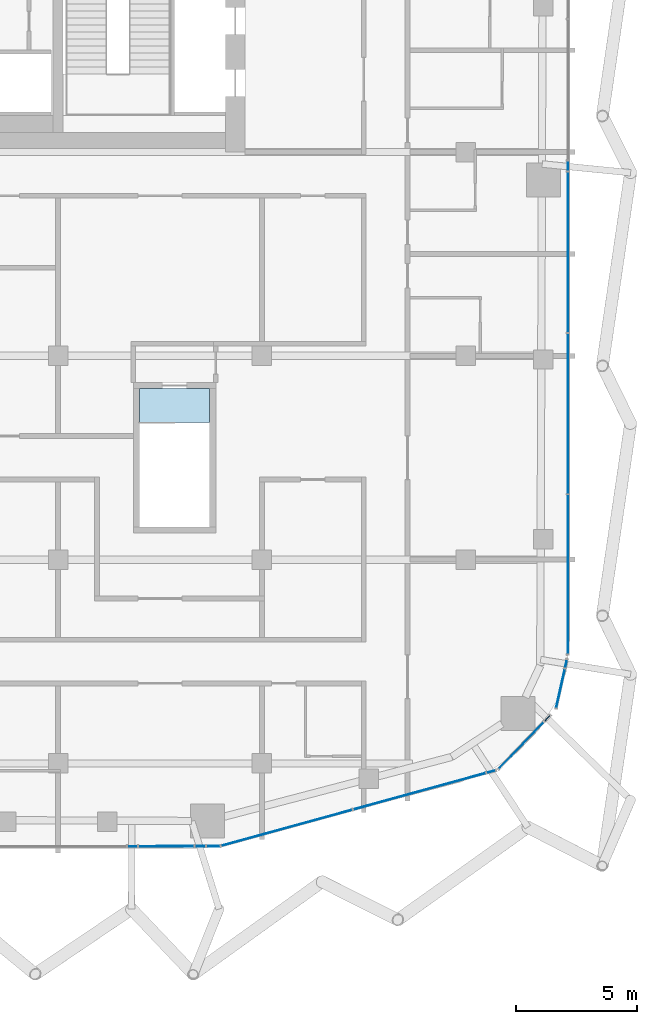
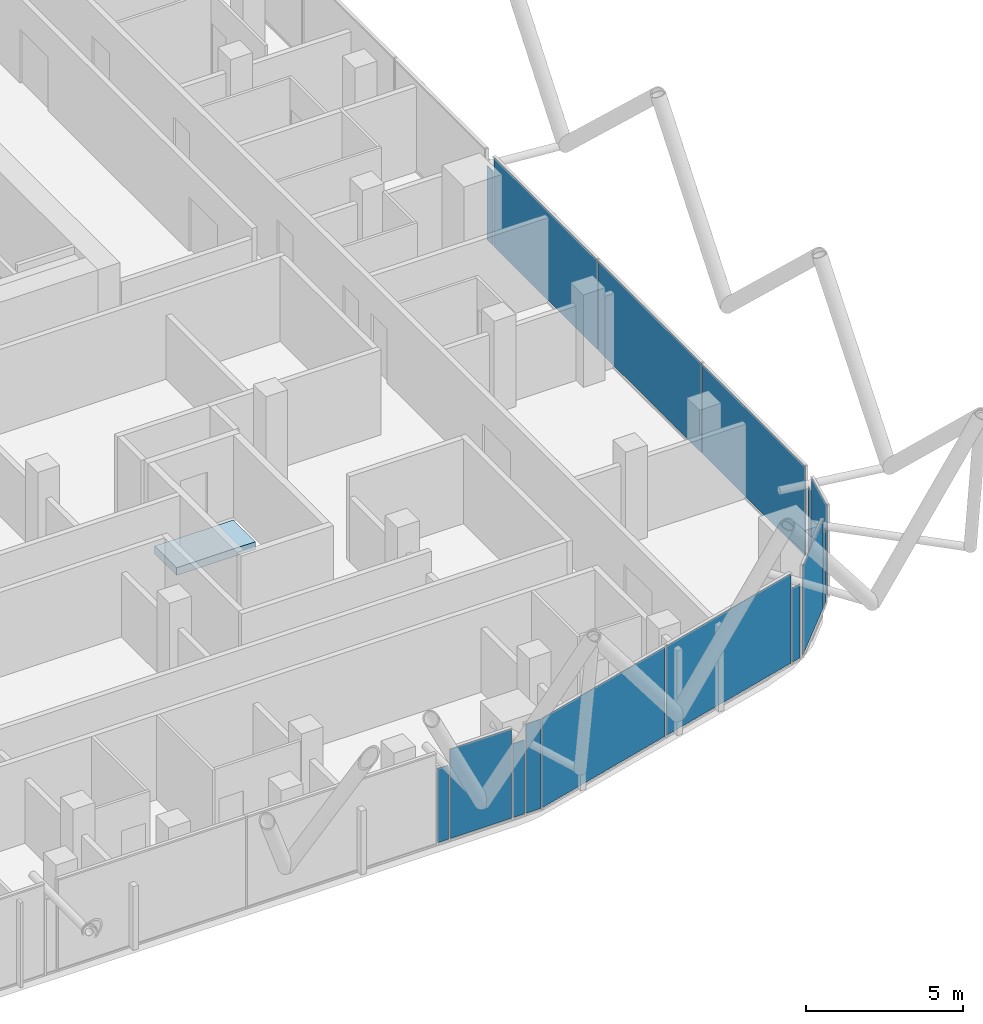
# One storey, part 20 of 33: 15 plates, 1 slab, 12 elements without a shape of their own.
"""IFC4 building model written with IfcOpenShell, lengths in metres."""

import ifcopenshell
import ifcopenshell.guid

model = None  # the IFC model being written
_history = None  # IfcOwnerHistory: only IFC2X3 demands one
_inside = {}  # id of a spatial element -> (the spatial element, [elements in it])
_under = {}  # id of a project, library or spatial element -> (it, [spatial elements below it])
_declared = {}  # id of a project -> (the project, [libraries it declares])
_typed = {}  # id of a type object -> (the type object, [elements of that type])
_made_of = {}  # id of a material, layer set ... -> (it, [elements and type objects made of it])


def new_model(schema):
    """Start an empty IFC model of exactly this schema.

    Asked for "IFC4X3", IfcOpenShell would pick the latest addendum, in which some entities
    have other attributes; the version numbers below select the first issue.
    IFC2X3 requires an IfcOwnerHistory on every rooted entity: one is made here for all.
    """
    global model, _history
    if schema == "IFC4X3":
        model = ifcopenshell.file(schema_version=(4, 3, 0, 0))
    else:
        model = ifcopenshell.file(schema=schema)
    _inside.clear()
    _under.clear()
    _declared.clear()
    _typed.clear()
    _made_of.clear()
    _history = None
    if model.schema == "IFC2X3":
        org = make("IfcOrganization", Name="unknown")
        user = make(
            "IfcPersonAndOrganization",
            ThePerson=make("IfcPerson", FamilyName="unknown"),
            TheOrganization=org,
        )
        app = make(
            "IfcApplication",
            ApplicationDeveloper=org,
            Version="unknown",
            ApplicationFullName="unknown",
            ApplicationIdentifier="unknown",
        )
        _history = make(
            "IfcOwnerHistory",
            OwningUser=user,
            OwningApplication=app,
            ChangeAction="ADDED",
            CreationDate=0,
        )
    return model


def make(cls, **values):
    """One entity of the class cls with the attributes given. An attribute that is None is left unset."""
    return model.create_entity(
        cls, **{name: value for name, value in values.items() if value is not None}
    )


def rooted(cls, **values):
    """An entity with a GlobalId (a new one), such as an element, a storey or a relation."""
    return make(cls, GlobalId=ifcopenshell.guid.new(), OwnerHistory=_history, **values)


def si_unit(unit_type, name, prefix=None):
    """IfcSIUnit, for example si_unit("LENGTHUNIT", "METRE", prefix="MILLI")."""
    return make("IfcSIUnit", UnitType=unit_type, Prefix=prefix, Name=name)


def assignment(units):
    """IfcUnitAssignment: the units of a project."""
    return None if units is None else make("IfcUnitAssignment", Units=units)


def point(xyz):
    """IfcCartesianPoint."""
    return None if xyz is None else make("IfcCartesianPoint", Coordinates=xyz)


def direction(xyz):
    """IfcDirection."""
    return None if xyz is None else make("IfcDirection", DirectionRatios=xyz)


def frame(location, z_axis=None, x_axis=None):
    """IfcAxis2Placement3D, a coordinate frame: its origin and axes. An axis left out is left unset."""
    return make(
        "IfcAxis2Placement3D",
        Location=point(location),
        Axis=direction(z_axis),
        RefDirection=direction(x_axis),
    )


def frame_2d(location, x_axis=None):
    """IfcAxis2Placement2D, a coordinate frame in the plane: its origin and x axis."""
    return make(
        "IfcAxis2Placement2D", Location=point(location), RefDirection=direction(x_axis)
    )


def origin():
    """The frame at (0, 0, 0) with its axes left unset."""
    return frame((0.0, 0.0, 0.0))


def origin_2d():
    """The frame at (0, 0) in the plane with its x axis left unset."""
    return frame_2d((0.0, 0.0))


def place(relative_to, where):
    """IfcLocalPlacement: puts the frame where relative to a parent placement (None: the world)."""
    return make(
        "IfcLocalPlacement", PlacementRelTo=relative_to, RelativePlacement=where
    )


def context(
    kind, dimensions, precision=None, world=None, true_north=None, identifier=None
):
    """IfcGeometricRepresentationContext, for example the 3D "Model" context."""
    return make(
        "IfcGeometricRepresentationContext",
        ContextIdentifier=identifier,
        ContextType=kind,
        CoordinateSpaceDimension=dimensions,
        Precision=precision,
        WorldCoordinateSystem=world,
        TrueNorth=true_north,
    )


def subcontext(parent, identifier, kind, view, scale=None):
    """IfcGeometricRepresentationSubContext, for example "Body" below "Model"."""
    return make(
        "IfcGeometricRepresentationSubContext",
        ContextIdentifier=identifier,
        ContextType=kind,
        ParentContext=parent,
        TargetScale=scale,
        TargetView=view,
    )


def project(units=None, contexts=None):
    """IfcProject with its units and contexts."""
    return rooted(
        "IfcProject",
        Name="project",
        RepresentationContexts=contexts,
        UnitsInContext=assignment(units),
    )


def spatial(cls, under=None, at=None, **own):
    """A site, building, storey or space (cls), placed at a placement, below another one or the project."""
    s = rooted(cls, ObjectPlacement=at, **own)
    if under is not None:
        _under.setdefault(under.id(), (under, []))[1].append(s)
    return s


def polyline(points):
    """IfcPolyline through the points."""
    return make("IfcPolyline", Points=[point(p) for p in points])


def profile(cls, at=None, kind="AREA", **sizes):
    """A parametric profile (cls). Its sizes go by their IFC names, for example OverallWidth=200.0."""
    return make(cls, ProfileType=kind, Position=at, **sizes)


def rectangle(**sizes):
    """IfcRectangleProfileDef."""
    return profile("IfcRectangleProfileDef", **sizes)


def outline(outer, holes=None, kind="AREA"):
    """IfcArbitraryClosedProfileDef: a profile drawn as a closed curve; with holes, ...WithVoids."""
    if holes is None:
        return make("IfcArbitraryClosedProfileDef", ProfileType=kind, OuterCurve=outer)
    return make(
        "IfcArbitraryProfileDefWithVoids",
        ProfileType=kind,
        OuterCurve=outer,
        InnerCurves=holes,
    )


def extrude(swept, where, along, depth):
    """IfcExtrudedAreaSolid: the profile swept, set in the frame where, extruded along a direction by depth."""
    return make(
        "IfcExtrudedAreaSolid",
        SweptArea=swept,
        Position=where,
        ExtrudedDirection=direction(along),
        Depth=depth,
    )


def shape(context_of_items, identifier, shape_type, items):
    """IfcShapeRepresentation: the items that make up one representation, for example the "Body"."""
    return make(
        "IfcShapeRepresentation",
        ContextOfItems=context_of_items,
        RepresentationIdentifier=identifier,
        RepresentationType=shape_type,
        Items=items,
    )


def material(Name=None, Category=None):
    """IfcMaterial."""
    return make("IfcMaterial", Name=Name, Category=Category)


def layer(
    of_material, thickness, ventilated=None, Name=None, Category=None, Priority=None
):
    """IfcMaterialLayer: one layer of a wall or slab, of a material (None: an air gap)."""
    return make(
        "IfcMaterialLayer",
        Material=of_material,
        LayerThickness=thickness,
        IsVentilated=ventilated,
        Name=Name,
        Category=Category,
        Priority=Priority,
    )


def layer_set(layers, Name=None):
    """IfcMaterialLayerSet."""
    return make("IfcMaterialLayerSet", MaterialLayers=layers, LayerSetName=Name)


def made_of(thing, what):
    """Note that an element or type object is made of a material, layer set ...; save() writes the relation."""
    if what is not None:
        _made_of.setdefault(what.id(), (what, []))[1].append(thing)
    return thing


def type_object(cls, material=None, **own):
    """A type object (cls), such as IfcWallType, which elements share."""
    return made_of(rooted(cls, **own), material)


def element(
    cls,
    number,
    at=None,
    inside=None,
    cuts=None,
    type_object=None,
    material=None,
    context=None,
    identifier="Body",
    shape_type=None,
    held_by="IfcProductDefinitionShape",
    body=None,
    shapes=None,
    **own,
):
    """One element of the class cls, such as IfcWall. Its Tag is "e" and its number.

    at: its placement. inside: the storey or other place that contains it. cuts: it is an
    opening in that element (IfcRelVoidsElement). A single representation is given by context,
    identifier, shape_type and body (its items); several are given by shapes. held_by: the class
    of the entity that holds the representations. save() writes the other relations.
    """
    e = rooted(cls, Tag="e%d" % number, ObjectPlacement=at, **own)
    if body is not None:
        shapes = [shape(context, identifier, shape_type, body)]
    if shapes is not None:
        e.Representation = make(held_by, Representations=shapes)
    if inside is not None:
        _inside.setdefault(inside.id(), (inside, []))[1].append(e)
    if cuts is not None:
        rooted(
            "IfcRelVoidsElement", RelatingBuildingElement=cuts, RelatedOpeningElement=e
        )
    if type_object is not None:
        _typed.setdefault(type_object.id(), (type_object, []))[1].append(e)
    return made_of(e, material)


def aggregate(whole, parts):
    """IfcRelAggregates: a whole, such as a stair, and the parts it consists of."""
    return rooted("IfcRelAggregates", RelatingObject=whole, RelatedObjects=parts)


def save(model, path):
    """Write the relations noted so far, then the file.

    IfcRelAggregates (storeys below a building ...), IfcRelContainedInSpatialStructure (elements
    in a storey), IfcRelDefinesByType, IfcRelAssociatesMaterial and IfcRelDeclares: one each for
    every whole, place, type object, material and project.
    """
    for whole, parts in _under.values():
        aggregate(whole, parts)
    for where, things in _inside.values():
        rooted(
            "IfcRelContainedInSpatialStructure",
            RelatedElements=things,
            RelatingStructure=where,
        )
    for kind, things in _typed.values():
        rooted("IfcRelDefinesByType", RelatedObjects=things, RelatingType=kind)
    for what, things in _made_of.values():
        rooted("IfcRelAssociatesMaterial", RelatedObjects=things, RelatingMaterial=what)
    for by, libraries in _declared.values():
        rooted("IfcRelDeclares", RelatingContext=by, RelatedDefinitions=libraries)
    model.write(path)


model = new_model("IFC4")

# Units and contexts
model_context = context("Model", 3, precision=1e-05, world=origin(), true_north=direction((0.0, 1.0)))
body_context = subcontext(model_context, "Body", "Model", "MODEL_VIEW")
ifc_project = project(units=[si_unit("LENGTHUNIT", "METRE"), si_unit("AREAUNIT", "SQUARE_METRE"), si_unit("VOLUMEUNIT", "CUBIC_METRE"), si_unit("PLANEANGLEUNIT", "RADIAN"), si_unit("MASSUNIT", "GRAM", prefix="KILO")], contexts=[model_context])

# Site, building, storey
site_placement = place(None, origin())
site = spatial("IfcSite", under=ifc_project, at=site_placement, CompositionType="ELEMENT")
building_placement = place(site_placement, origin())
building = spatial("IfcBuilding", under=site, at=building_placement, Name="Marenta Gate Hotel Tower", CompositionType="ELEMENT")
storey_placement = place(building_placement, frame((0.0, 0.0, 248.89990234375)))
storey = spatial("IfcBuildingStorey", under=building, at=storey_placement, Name="L59", CompositionType="ELEMENT", Elevation=248.89990234375)

# Curtain wall, plate
ifc_material_1 = material(Name="Tinted insulated glass in bronze anodised frame", Category="glass")
ifc_layer_1 = layer(ifc_material_1, 0.1201171875)
ifc_layer_set_1 = layer_set([ifc_layer_1], Name="Tinted insulated glass in bronze anodised frame")
curtain_wall_type = type_object("IfcCurtainWallType", Name="Tower unitised curtain wall CW1", PredefinedType="NOTDEFINED", material=ifc_layer_set_1)
curtain_wall_1_placement = place(storey_placement, origin())
curtain_wall_1 = element("IfcCurtainWall", 1, at=curtain_wall_1_placement, inside=storey, type_object=curtain_wall_type, Name="CW1 run G22", PredefinedType="NOTDEFINED")
ifc_material_2 = material(Name="Tinted insulated glass", Category="glass")
ifc_layer_2 = layer(ifc_material_2, 0.028076171875)
ifc_layer_set_2 = layer_set([ifc_layer_2], Name="Tinted insulated glass")
plate_type = type_object("IfcPlateType", Name="Glass panel CW1 28 mm tinted insulated unit", PredefinedType="CURTAIN_PANEL", material=ifc_layer_set_2)
plate_1_placement = place(storey_placement, frame((7.26611328125, -28.618408203125, 0.06005859375), z_axis=(0.0, 0.0, 1.0), x_axis=(0.999998440618, 0.001766001654, 0.0)))
plate_1 = element("IfcPlate", 2, at=plate_1_placement, type_object=plate_type, Name="CW1 panel 1.1", PredefinedType="CURTAIN_PANEL", context=body_context, shape_type="SweptSolid", body=[
    extrude(rectangle(XDim=0.39306640625, YDim=0.028076171875, at=origin_2d()), origin(), (0.0, 0.0, 1.0), 2.880615234375),
])
aggregate(curtain_wall_1, [plate_1])

curtain_wall_2_placement = place(storey_placement, origin())
curtain_wall_2 = element("IfcCurtainWall", 3, at=curtain_wall_2_placement, inside=storey, type_object=curtain_wall_type, Name="CW1 run G23", PredefinedType="NOTDEFINED")
plate_2_placement = place(storey_placement, frame((8.65869140625, -28.6162109375, 0.06005859375), z_axis=(0.0, 0.0, 1.0), x_axis=(0.999998672819, 0.001629220957, 0.0)))
plate_2 = element("IfcPlate", 4, at=plate_2_placement, type_object=plate_type, Name="CW1 panel 1.1", PredefinedType="CURTAIN_PANEL", context=body_context, shape_type="SweptSolid", body=[
    extrude(rectangle(XDim=2.2724609375, YDim=0.028076171875, at=origin_2d()), origin(), (0.0, 0.0, 1.0), 3.47998046875),
])
aggregate(curtain_wall_2, [plate_2])

curtain_wall_3_placement = place(storey_placement, origin())
curtain_wall_3 = element("IfcCurtainWall", 5, at=curtain_wall_3_placement, inside=storey, type_object=curtain_wall_type, Name="CW1 run G24", PredefinedType="NOTDEFINED")
plate_3_placement = place(storey_placement, frame((10.06201171875, -28.614013671875, 0.06005859375), z_axis=(0.0, 0.0, 1.0), x_axis=(0.999998577531, 0.001686693784, 0.0)))
plate_3 = element("IfcPlate", 6, at=plate_3_placement, type_object=plate_type, Name="CW1 panel 1.1", PredefinedType="CURTAIN_PANEL", context=body_context, shape_type="SweptSolid", body=[
    extrude(rectangle(XDim=0.414306640625, YDim=0.028076171875, at=origin_2d()), origin(), (0.0, 0.0, 1.0), 2.880615234375),
])
aggregate(curtain_wall_3, [plate_3])

curtain_wall_4_placement = place(storey_placement, origin())
curtain_wall_4 = element("IfcCurtainWall", 7, at=curtain_wall_4_placement, inside=storey, type_object=curtain_wall_type, Name="CW1 run G25", PredefinedType="NOTDEFINED")
plate_4_placement = place(storey_placement, frame((10.601318359375, -28.613037109375, 0.06005859375), z_axis=(0.0, 0.0, 1.0), x_axis=(0.999998631715, 0.001654257461, 0.0)))
plate_4 = element("IfcPlate", 8, at=plate_4_placement, type_object=plate_type, Name="CW1 panel 1.1", PredefinedType="CURTAIN_PANEL", context=body_context, shape_type="SweptSolid", body=[
    extrude(rectangle(XDim=0.54443359375, YDim=0.028076171875, at=origin_2d()), origin(), (0.0, 0.0, 1.0), 3.47998046875),
])
aggregate(curtain_wall_4, [plate_4])

# Curtain wall, plates
curtain_wall_5_placement = place(storey_placement, origin())
curtain_wall_5 = element("IfcCurtainWall", 9, at=curtain_wall_5_placement, inside=storey, type_object=curtain_wall_type, Name="CW1 run G26", PredefinedType="NOTDEFINED")
plate_5_placement = place(storey_placement, frame((13.624755859375, -27.85546875, 0.06005859375), z_axis=(0.0, 0.0, 1.0), x_axis=(0.964168225266, 0.265291600671, 0.0)))
plate_5 = element("IfcPlate", 10, at=plate_5_placement, type_object=plate_type, Name="CW1 panel 1.1", PredefinedType="CURTAIN_PANEL", context=body_context, shape_type="SweptSolid", body=[
    extrude(rectangle(XDim=5.58642578125, YDim=0.028076171875, at=origin_2d()), origin(), (0.0, 0.0, 1.0), 3.47998046875),
])
plate_6_placement = place(storey_placement, frame((19.09765625, -26.349609375, 0.06005859375), z_axis=(0.0, 0.0, 1.0), x_axis=(0.964168225266, 0.265291600671, 0.0)))
plate_6 = element("IfcPlate", 11, at=plate_6_placement, type_object=plate_type, Name="CW1 panel 2.1", PredefinedType="CURTAIN_PANEL", context=body_context, shape_type="SweptSolid", body=[
    extrude(rectangle(XDim=5.646484375, YDim=0.028076171875, at=origin_2d()), origin(), (0.0, 0.0, 1.0), 3.47998046875),
])
aggregate(curtain_wall_5, [plate_5, plate_6])

# Curtain wall, plate
curtain_wall_6_placement = place(storey_placement, origin())
curtain_wall_6 = element("IfcCurtainWall", 12, at=curtain_wall_6_placement, inside=storey, type_object=curtain_wall_type, Name="CW1 run G27", PredefinedType="NOTDEFINED")
plate_7_placement = place(storey_placement, frame((22.04931640625, -25.53759765625, 0.06005859375), z_axis=(0.0, 0.0, 1.0), x_axis=(0.964170506749, 0.265283308776, 0.0)))
plate_7 = element("IfcPlate", 13, at=plate_7_placement, type_object=plate_type, Name="CW1 panel 1.1", PredefinedType="CURTAIN_PANEL", context=body_context, shape_type="SweptSolid", body=[
    extrude(rectangle(XDim=0.3564453125, YDim=0.028076171875, at=origin_2d()), origin(), (0.0, 0.0, 1.0), 2.880615234375),
])
aggregate(curtain_wall_6, [plate_7])

curtain_wall_7_placement = place(storey_placement, origin())
curtain_wall_7 = element("IfcCurtainWall", 14, at=curtain_wall_7_placement, inside=storey, type_object=curtain_wall_type, Name="CW1 run G28", PredefinedType="NOTDEFINED")
plate_8_placement = place(storey_placement, frame((23.284912109375, -24.461669921875, 0.06005859375), z_axis=(0.0, 0.0, 1.0), x_axis=(0.692544874237, 0.721374796599, 0.0)))
plate_8 = element("IfcPlate", 15, at=plate_8_placement, type_object=plate_type, Name="CW1 panel 1.1", PredefinedType="CURTAIN_PANEL", context=body_context, shape_type="SweptSolid", body=[
    extrude(rectangle(XDim=2.652587890625, YDim=0.028076171875, at=origin_2d()), origin(), (0.0, 0.0, 1.0), 3.47998046875),
])
aggregate(curtain_wall_7, [plate_8])

curtain_wall_8_placement = place(storey_placement, origin())
curtain_wall_8 = element("IfcCurtainWall", 16, at=curtain_wall_8_placement, inside=storey, type_object=curtain_wall_type, Name="CW1 run G29", PredefinedType="NOTDEFINED")
plate_9_placement = place(storey_placement, frame((24.360107421875, -23.341552734375, 0.06005859375), z_axis=(0.0, 0.0, 1.0), x_axis=(0.692614524145, 0.721307923804, 0.0)))
plate_9 = element("IfcPlate", 17, at=plate_9_placement, type_object=plate_type, Name="CW1 panel 1.1", PredefinedType="CURTAIN_PANEL", context=body_context, shape_type="SweptSolid", body=[
    extrude(rectangle(XDim=0.3330078125, YDim=0.028076171875, at=origin_2d()), origin(), (0.0, 0.0, 1.0), 2.880615234375),
])
aggregate(curtain_wall_8, [plate_9])

curtain_wall_9_placement = place(storey_placement, origin())
curtain_wall_9 = element("IfcCurtainWall", 18, at=curtain_wall_9_placement, inside=storey, type_object=curtain_wall_type, Name="CW1 run G30", PredefinedType="NOTDEFINED")
plate_10_placement = place(storey_placement, frame((24.910400390625, -22.110595703125, 0.06005859375), z_axis=(0.0, 0.0, 1.0), x_axis=(0.216874190557, 0.976199562318, 0.0)))
plate_10 = element("IfcPlate", 19, at=plate_10_placement, type_object=plate_type, Name="CW1 panel 1.1", PredefinedType="CURTAIN_PANEL", context=body_context, shape_type="SweptSolid", body=[
    extrude(rectangle(XDim=1.633544921875, YDim=0.028076171875, at=origin_2d()), origin(), (0.0, 0.0, 1.0), 3.47998046875),
])
aggregate(curtain_wall_9, [plate_10])

curtain_wall_10_placement = place(storey_placement, origin())
curtain_wall_10 = element("IfcCurtainWall", 20, at=curtain_wall_10_placement, inside=storey, type_object=curtain_wall_type, Name="CW1 run G31", PredefinedType="NOTDEFINED")
plate_11_placement = place(storey_placement, frame((25.13671875, -21.091796875, 0.06005859375), z_axis=(0.0, 0.0, 1.0), x_axis=(0.216673724826, 0.976244076535, 0.0)))
plate_11 = element("IfcPlate", 21, at=plate_11_placement, type_object=plate_type, Name="CW1 panel 1.1", PredefinedType="CURTAIN_PANEL", context=body_context, shape_type="SweptSolid", body=[
    extrude(rectangle(XDim=0.333740234375, YDim=0.028076171875, at=origin_2d()), origin(), (0.0, 0.0, 1.0), 2.880615234375),
])
aggregate(curtain_wall_10, [plate_11])

# Curtain wall, plates
curtain_wall_11_placement = place(storey_placement, origin())
curtain_wall_11 = element("IfcCurtainWall", 22, at=curtain_wall_11_placement, inside=storey, type_object=curtain_wall_type, Name="CW1 run G32", PredefinedType="NOTDEFINED")
plate_12_placement = place(storey_placement, frame((25.214111328125, -17.40869140625, 0.06005859375), z_axis=(0.0, 0.0, 1.0), x_axis=(0.0, 1.0, 0.0)))
plate_12 = element("IfcPlate", 23, at=plate_12_placement, type_object=plate_type, Name="CW1 panel 1.1", PredefinedType="CURTAIN_PANEL", context=body_context, shape_type="SweptSolid", body=[
    extrude(rectangle(XDim=6.55029296875, YDim=0.028076171875, at=origin_2d()), origin(), (0.0, 0.0, 1.0), 3.47998046875),
])
plate_13_placement = place(storey_placement, frame((25.214111328125, -10.783447265625, 0.06005859375), z_axis=(0.0, 0.0, 1.0), x_axis=(0.0, 1.0, 0.0)))
plate_13 = element("IfcPlate", 24, at=plate_13_placement, type_object=plate_type, Name="CW1 panel 2.1", PredefinedType="CURTAIN_PANEL", context=body_context, shape_type="SweptSolid", body=[
    extrude(rectangle(XDim=6.580322265625, YDim=0.028076171875, at=origin_2d()), origin(), (0.0, 0.0, 1.0), 3.47998046875),
])
plate_14_placement = place(storey_placement, frame((25.214111328125, -4.128173828125, 0.06005859375), z_axis=(0.0, 0.0, 1.0), x_axis=(0.0, 1.0, 0.0)))
plate_14 = element("IfcPlate", 25, at=plate_14_placement, type_object=plate_type, Name="CW1 panel 3.1", PredefinedType="CURTAIN_PANEL", context=body_context, shape_type="SweptSolid", body=[
    extrude(rectangle(XDim=6.6103515625, YDim=0.028076171875, at=origin_2d()), origin(), (0.0, 0.0, 1.0), 3.47998046875),
])
aggregate(curtain_wall_11, [plate_12, plate_13, plate_14])

# Curtain wall, plate
curtain_wall_12_placement = place(storey_placement, origin())
curtain_wall_12 = element("IfcCurtainWall", 26, at=curtain_wall_12_placement, inside=storey, type_object=curtain_wall_type, Name="CW1 run G33", PredefinedType="NOTDEFINED")
plate_15_placement = place(storey_placement, frame((25.214111328125, -0.5654296875, 0.06005859375), z_axis=(0.0, 0.0, 1.0), x_axis=(0.0, 1.0, 0.0)))
plate_15 = element("IfcPlate", 27, at=plate_15_placement, type_object=plate_type, Name="CW1 panel 1.1", PredefinedType="CURTAIN_PANEL", context=body_context, shape_type="SweptSolid", body=[
    extrude(rectangle(XDim=0.395263671875, YDim=0.028076171875, at=origin_2d()), origin(), (0.0, 0.0, 1.0), 2.880615234375),
])
aggregate(curtain_wall_12, [plate_15])

# Slab
ifc_material_3 = material(Name="Concrete C40", Category="concrete")
ifc_layer_3 = layer(ifc_material_3, 0.300048828125)
ifc_layer_set_3 = layer_set([ifc_layer_3], Name="Concrete C40")
slab_type = type_object("IfcSlabType", Name="Stair floor landing slab 300", PredefinedType="FLOOR", material=ifc_layer_set_3)
slab_placement = place(storey_placement, frame((0.0, 0.0, -0.2998046875)))
element("IfcSlab", 28, at=slab_placement, inside=storey, type_object=slab_type, Name="L59-RS-Z3-2-CL", PredefinedType="FLOOR", context=body_context, shape_type="SweptSolid", body=[
    extrude(outline(polyline([(10.449951171875, -11.14990234375), (10.449951171875, -9.75), (7.550048828125, -9.75), (7.550048828125, -11.14990234375), (10.449951171875, -11.14990234375)])), origin(), (0.0, 0.0, 1.0), 0.2998046875),
])

save(model, "model.ifc")
